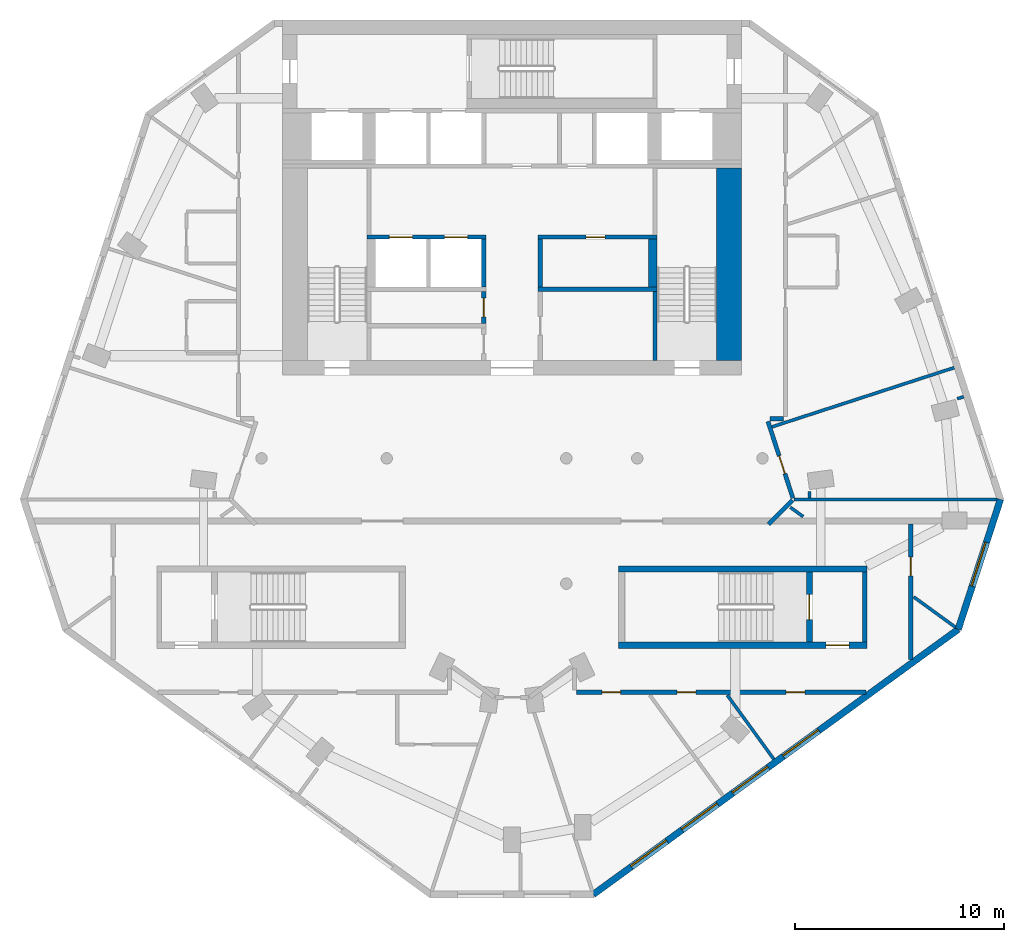
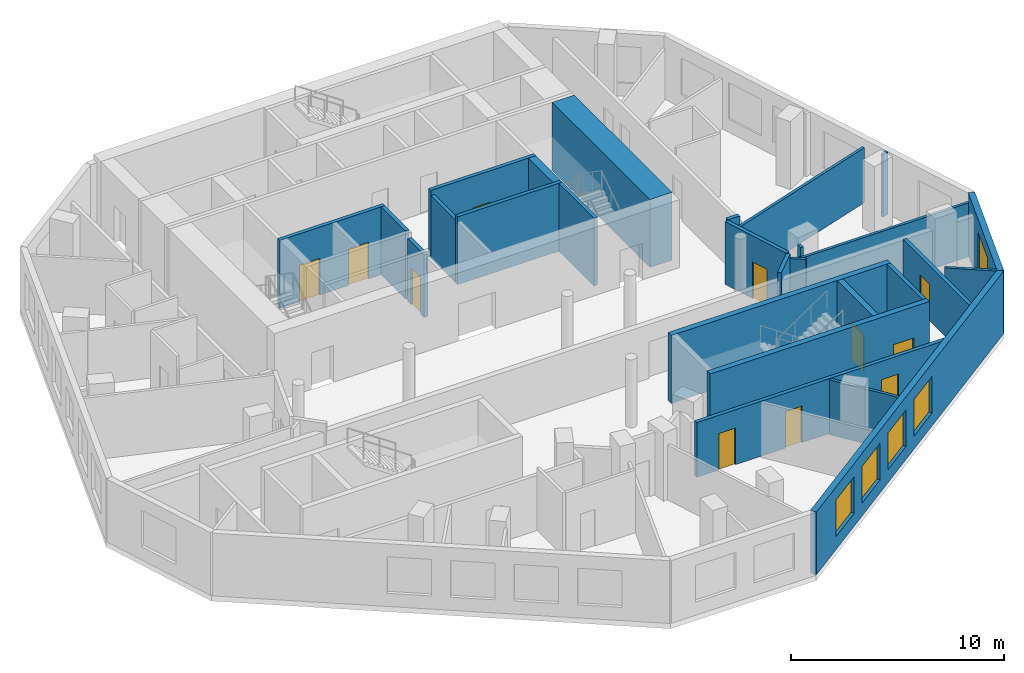
# One storey, part 4 of 8: 27 walls, 11 doors, 5 windows, 16 openings.
"""IFC4 building model written with IfcOpenShell, lengths in metres."""

from ifc_helpers import new_model, si_unit, direction, frame, frame_2d, origin, place, context, subcontext, project, spatial, rectangle, extrude, material, layer, layer_set, type_object, element, fill, save


model = new_model("IFC4")

# Units and contexts
model_context = context("Model", 3, precision=1e-05, world=origin(), true_north=direction((0.0, 1.0)))
body_context = subcontext(model_context, "Body", "Model", "MODEL_VIEW")
ifc_project = project(units=[si_unit("LENGTHUNIT", "METRE"), si_unit("AREAUNIT", "SQUARE_METRE"), si_unit("VOLUMEUNIT", "CUBIC_METRE"), si_unit("PLANEANGLEUNIT", "RADIAN"), si_unit("MASSUNIT", "GRAM", prefix="KILO")], contexts=[model_context])

# Site, building, storey
site_placement = place(None, origin())
site = spatial("IfcSite", under=ifc_project, at=site_placement, CompositionType="ELEMENT")
building_placement = place(site_placement, origin())
building = spatial("IfcBuilding", under=site, at=building_placement, Name="White Candle Pilgrim Tower", CompositionType="ELEMENT")
storey_placement = place(building_placement, frame((0.0, 0.0, 267.800048828125)))
storey = spatial("IfcBuildingStorey", under=building, at=storey_placement, Name="L63", CompositionType="ELEMENT", Elevation=267.800048828125)

# Walls
ifc_material_1 = material(Name="Concrete C50/60", Category="concrete")
ifc_layer_1 = layer(ifc_material_1, 0.199951171875)
ifc_layer_set_1 = layer_set([ifc_layer_1], Name="Core wall 200 mm Concrete C50/60")
wall_type_1 = type_object("IfcWallType", Name="Core wall 200 mm Concrete C50/60", PredefinedType="SHEAR", material=ifc_layer_set_1)
wall_1_placement = place(storey_placement, frame((86.89990234375, 58.199951171875, 0.0), z_axis=(0.0, 0.0, 1.0), x_axis=(0.0, 1.0, 0.0)))
element("IfcWall", 1, at=wall_1_placement, inside=storey, type_object=wall_type_1, Name="WL-L63-C08", PredefinedType="SHEAR", context=body_context, shape_type="SweptSolid", body=[
    extrude(rectangle(XDim=3.35009765625, YDim=0.199951171875, at=frame_2d((1.675048828125, 0.0))), origin(), (0.0, 0.0, 1.0), 3.89990234375),
])
ifc_material_2 = material(Name="Gypsum board on steel studs", Category="steel")
ifc_layer_2 = layer(ifc_material_2, 0.199951171875)
ifc_layer_set_2 = layer_set([ifc_layer_2], Name="Corridor wall 200 mm EI 45")
wall_type_2 = type_object("IfcWallType", Name="Corridor wall 200 mm EI 45", PredefinedType="PARTITIONING", material=ifc_layer_set_2)
wall_2_placement = place(storey_placement, frame((83.0, 68.89990234375, 0.0), z_axis=(0.0, 0.0, 1.0), x_axis=(-1.0, 0.0, 0.0)))
element("IfcWall", 2, at=wall_2_placement, inside=storey, type_object=wall_type_2, Name="WL-L63-P008", PredefinedType="PARTITIONING", context=body_context, shape_type="SweptSolid", body=[
    extrude(rectangle(XDim=0.64208984375, YDim=0.199951171875, at=frame_2d((0.321044921875, 0.0))), origin(), (0.0, 0.0, 1.0), 3.599853515625),
])

# Wall, opening, door
wall_3_placement = place(storey_placement, frame((82.2626953125, 68.76904296875, 0.0), z_axis=(0.0, 0.0, 1.0), x_axis=(0.309050338142, -0.951045681602, 0.0)))
wall_3 = element("IfcWall", 3, at=wall_3_placement, inside=storey, type_object=wall_type_2, Name="WL-L63-P009", PredefinedType="PARTITIONING", context=body_context, shape_type="SweptSolid", body=[
    extrude(rectangle(XDim=3.862060546875, YDim=0.199951171875, at=frame_2d((1.93115234375, 0.0))), origin(), (0.0, 0.0, 1.0), 3.599853515625),
])
opening_1_placement = place(wall_3_placement, frame((1.731201171875, 0.0, 0.0)))
opening_1 = element("IfcOpeningElement", 4, at=opening_1_placement, cuts=wall_3, Name="Opening T19-121", PredefinedType="OPENING", context=body_context, shape_type="SweptSolid", body=[
    extrude(rectangle(XDim=0.89990234375, YDim=2.10009765625, at=frame_2d((0.449951171875, 1.050048828125))), frame((0.0, 0.10986328125, 0.0), z_axis=(0.0, -1.0, 0.0), x_axis=(1.0, 0.0, 0.0)), (0.0, 0.0, 1.0), 0.219970703125),
])
ifc_material_3 = material(Name="Steel door leaf", Category="steel")
door_type_1 = type_object("IfcDoorType", Name="Fire door 900 x 2100 EI 30", OperationType="NOTDEFINED", PredefinedType="DOOR", material=ifc_material_3)
door_1_placement = place(opening_1_placement, origin())
door_1 = element("IfcDoor", 5, at=door_1_placement, inside=storey, type_object=door_type_1, Name="Door T19-121", OperationType="SINGLE_SWING_LEFT", OverallHeight=2.10009765625, OverallWidth=0.89990234375, PredefinedType="DOOR", context=body_context, shape_type="SweptSolid", body=[
    extrude(rectangle(XDim=0.89990234375, YDim=2.10009765625, at=frame_2d((0.449951171875, 1.050048828125))), frame((0.0, 0.02490234375, 0.0), z_axis=(0.0, -1.0, 0.0), x_axis=(1.0, 0.0, 0.0)), (0.0, 0.0, 1.0), 0.050048828125),
])
fill(opening_1, door_1)

# Wall
wall_4_placement = place(storey_placement, frame((83.431884765625, 64.994384765625, 0.0), z_axis=(0.0, 0.0, 1.0), x_axis=(-0.70635124515, -0.707861510802, 0.0)))
element("IfcWall", 6, at=wall_4_placement, inside=storey, type_object=wall_type_2, Name="WL-L63-P010", PredefinedType="PARTITIONING", context=body_context, shape_type="SweptSolid", body=[
    extrude(rectangle(XDim=1.616455078125, YDim=0.199951171875, at=frame_2d((0.80810546875, 0.0))), origin(), (0.0, 0.0, 1.0), 3.599853515625),
])

# Wall, opening, door
wall_5_placement = place(storey_placement, frame((89.10009765625, 63.85009765625, 0.0), z_axis=(0.0, 0.0, 1.0), x_axis=(0.0, -1.0, 0.0)))
wall_5 = element("IfcWall", 7, at=wall_5_placement, inside=storey, type_object=wall_type_2, Name="WL-L63-P011", PredefinedType="PARTITIONING", context=body_context, shape_type="SweptSolid", body=[
    extrude(rectangle(XDim=6.49560546875, YDim=0.199951171875, at=frame_2d((3.247802734375, 0.0))), origin(), (0.0, 0.0, 1.0), 3.14990234375),
])
opening_2_placement = place(wall_5_placement, frame((1.580810546875, 0.0, 0.0)))
opening_2 = element("IfcOpeningElement", 8, at=opening_2_placement, cuts=wall_5, Name="Opening T19-122", PredefinedType="OPENING", context=body_context, shape_type="SweptSolid", body=[
    extrude(rectangle(XDim=0.89990234375, YDim=2.10009765625, at=frame_2d((0.449951171875, 1.050048828125))), frame((0.0, 0.10986328125, 0.0), z_axis=(0.0, -1.0, 0.0), x_axis=(1.0, 0.0, 0.0)), (0.0, 0.0, 1.0), 0.219970703125),
])
door_2_placement = place(opening_2_placement, origin())
door_2 = element("IfcDoor", 9, at=door_2_placement, inside=storey, type_object=door_type_1, Name="Door T19-122", OperationType="SINGLE_SWING_RIGHT", OverallHeight=2.10009765625, OverallWidth=0.89990234375, PredefinedType="DOOR", context=body_context, shape_type="SweptSolid", body=[
    extrude(rectangle(XDim=0.89990234375, YDim=2.10009765625, at=frame_2d((0.449951171875, 1.050048828125))), frame((0.0, 0.02490234375, 0.0), z_axis=(0.0, -1.0, 0.0), x_axis=(1.0, 0.0, 0.0)), (0.0, 0.0, 1.0), 0.050048828125),
])
fill(opening_2, door_2)

# Wall, openings, doors
wall_6_placement = place(storey_placement, frame((86.96044921875, 55.800048828125, 0.0), z_axis=(0.0, 0.0, 1.0), x_axis=(-1.0, 0.0, 0.0)))
wall_6 = element("IfcWall", 10, at=wall_6_placement, inside=storey, type_object=wall_type_2, Name="WL-L63-P012", PredefinedType="PARTITIONING", context=body_context, shape_type="SweptSolid", body=[
    extrude(rectangle(XDim=13.8603515625, YDim=0.199951171875, at=frame_2d((6.93017578125, 0.0))), origin(), (0.0, 0.0, 1.0), 3.14990234375),
])
opening_3_placement = place(wall_6_placement, frame((11.759521484375, 0.0, 0.0)))
opening_3 = element("IfcOpeningElement", 11, at=opening_3_placement, cuts=wall_6, Name="Opening T19-107", PredefinedType="OPENING", context=body_context, shape_type="SweptSolid", body=[
    extrude(rectangle(XDim=0.89990234375, YDim=2.10009765625, at=frame_2d((0.449951171875, 1.050048828125))), frame((0.0, 0.10986328125, 0.0), z_axis=(0.0, -1.0, 0.0), x_axis=(1.0, 0.0, 0.0)), (0.0, 0.0, 1.0), 0.219970703125),
])
opening_4_placement = place(wall_6_placement, frame((8.15478515625, 0.0, 0.0)))
opening_4 = element("IfcOpeningElement", 12, at=opening_4_placement, cuts=wall_6, Name="Opening T19-108", PredefinedType="OPENING", context=body_context, shape_type="SweptSolid", body=[
    extrude(rectangle(XDim=0.89990234375, YDim=2.10009765625, at=frame_2d((0.449951171875, 1.050048828125))), frame((0.0, 0.10986328125, 0.0), z_axis=(0.0, -1.0, 0.0), x_axis=(1.0, 0.0, 0.0)), (0.0, 0.0, 1.0), 0.219970703125),
])
opening_5_placement = place(wall_6_placement, frame((2.92529296875, 0.0, 0.0)))
opening_5 = element("IfcOpeningElement", 13, at=opening_5_placement, cuts=wall_6, Name="Opening T19-109", PredefinedType="OPENING", context=body_context, shape_type="SweptSolid", body=[
    extrude(rectangle(XDim=0.89990234375, YDim=2.10009765625, at=frame_2d((0.449951171875, 1.050048828125))), frame((0.0, 0.10986328125, 0.0), z_axis=(0.0, -1.0, 0.0), x_axis=(1.0, 0.0, 0.0)), (0.0, 0.0, 1.0), 0.219970703125),
])
door_3_placement = place(opening_3_placement, origin())
door_3 = element("IfcDoor", 14, at=door_3_placement, inside=storey, type_object=door_type_1, Name="Door T19-107", OperationType="SINGLE_SWING_LEFT", OverallHeight=2.10009765625, OverallWidth=0.89990234375, PredefinedType="DOOR", context=body_context, shape_type="SweptSolid", body=[
    extrude(rectangle(XDim=0.89990234375, YDim=2.10009765625, at=frame_2d((0.449951171875, 1.050048828125))), frame((0.0, 0.02490234375, 0.0), z_axis=(0.0, -1.0, 0.0), x_axis=(1.0, 0.0, 0.0)), (0.0, 0.0, 1.0), 0.050048828125),
])
fill(opening_3, door_3)
door_4_placement = place(opening_4_placement, origin())
door_4 = element("IfcDoor", 15, at=door_4_placement, inside=storey, type_object=door_type_1, Name="Door T19-108", OperationType="SINGLE_SWING_RIGHT", OverallHeight=2.10009765625, OverallWidth=0.89990234375, PredefinedType="DOOR", context=body_context, shape_type="SweptSolid", body=[
    extrude(rectangle(XDim=0.89990234375, YDim=2.10009765625, at=frame_2d((0.449951171875, 1.050048828125))), frame((0.0, 0.02490234375, 0.0), z_axis=(0.0, -1.0, 0.0), x_axis=(1.0, 0.0, 0.0)), (0.0, 0.0, 1.0), 0.050048828125),
])
fill(opening_4, door_4)
door_5_placement = place(opening_5_placement, origin())
door_5 = element("IfcDoor", 16, at=door_5_placement, inside=storey, type_object=door_type_1, Name="Door T19-109", OperationType="SINGLE_SWING_LEFT", OverallHeight=2.10009765625, OverallWidth=0.89990234375, PredefinedType="DOOR", context=body_context, shape_type="SweptSolid", body=[
    extrude(rectangle(XDim=0.89990234375, YDim=2.10009765625, at=frame_2d((0.449951171875, 1.050048828125))), frame((0.0, 0.02490234375, 0.0), z_axis=(0.0, -1.0, 0.0), x_axis=(1.0, 0.0, 0.0)), (0.0, 0.0, 1.0), 0.050048828125),
])
fill(opening_5, door_5)

# Wall, openings, windows
ifc_material_4 = material(Name="Precast concrete C40/50", Category="concrete")
ifc_layer_3 = layer(ifc_material_4, 0.320068359375)
ifc_layer_set_3 = layer_set([ifc_layer_3], Name="Facade wall EW1 precast concrete C40/50 pier wall with timber-lined reveals")
wall_type_3 = type_object("IfcWallType", Name="Facade wall EW1 precast concrete C40/50 pier wall with timber-lined reveals", PredefinedType="SOLIDWALL", material=ifc_layer_set_3)
wall_7_placement = place(storey_placement, frame((73.894287109375, 46.109130859375, 0.0), z_axis=(0.0, 0.0, 1.0), x_axis=(0.809016403759, 0.587786065205, 0.0)))
wall_7 = element("IfcWall", 17, at=wall_7_placement, inside=storey, type_object=wall_type_3, Name="Facade wall L63 SE", PredefinedType="SOLIDWALL", context=body_context, shape_type="SweptSolid", body=[
    extrude(rectangle(XDim=21.611083984375, YDim=0.320068359375, at=frame_2d((10.8056640625, 0.0))), origin(), (0.0, 0.0, 1.0), 3.599853515625),
])
opening_6_placement = place(wall_7_placement, frame((2.255615234375, 0.0, 0.75)))
opening_6 = element("IfcOpeningElement", 18, at=opening_6_placement, cuts=wall_7, Name="Opening W3", PredefinedType="OPENING", context=body_context, shape_type="SweptSolid", body=[
    extrude(rectangle(XDim=2.10009765625, YDim=2.10009765625, at=frame_2d((1.050048828125, 1.050048828125))), frame((0.0, 0.169921875, 0.0), z_axis=(0.0, -1.0, 0.0), x_axis=(1.0, 0.0, 0.0)), (0.0, 0.0, 1.0), 0.340087890625),
])
opening_7_placement = place(wall_7_placement, frame((5.255615234375, 0.0, 0.75)))
opening_7 = element("IfcOpeningElement", 19, at=opening_7_placement, cuts=wall_7, Name="Opening W3", PredefinedType="OPENING", context=body_context, shape_type="SweptSolid", body=[
    extrude(rectangle(XDim=2.10009765625, YDim=2.10009765625, at=frame_2d((1.050048828125, 1.050048828125))), frame((0.0, 0.169921875, 0.0), z_axis=(0.0, -1.0, 0.0), x_axis=(1.0, 0.0, 0.0)), (0.0, 0.0, 1.0), 0.340087890625),
])
opening_8_placement = place(wall_7_placement, frame((8.255615234375, 0.0, 0.75)))
opening_8 = element("IfcOpeningElement", 20, at=opening_8_placement, cuts=wall_7, Name="Opening W3", PredefinedType="OPENING", context=body_context, shape_type="SweptSolid", body=[
    extrude(rectangle(XDim=2.10009765625, YDim=2.10009765625, at=frame_2d((1.050048828125, 1.050048828125))), frame((0.0, 0.169921875, 0.0), z_axis=(0.0, -1.0, 0.0), x_axis=(1.0, 0.0, 0.0)), (0.0, 0.0, 1.0), 0.340087890625),
])
opening_9_placement = place(wall_7_placement, frame((11.255615234375, 0.0, 0.75)))
opening_9 = element("IfcOpeningElement", 21, at=opening_9_placement, cuts=wall_7, Name="Opening W3", PredefinedType="OPENING", context=body_context, shape_type="SweptSolid", body=[
    extrude(rectangle(XDim=2.10009765625, YDim=2.10009765625, at=frame_2d((1.050048828125, 1.050048828125))), frame((0.0, 0.169921875, 0.0), z_axis=(0.0, -1.0, 0.0), x_axis=(1.0, 0.0, 0.0)), (0.0, 0.0, 1.0), 0.340087890625),
])
ifc_material_5 = material(Name="Timber frame with triple glazing", Category="wood")
window_type_1 = type_object("IfcWindowType", Name="Window W3 2100x2100 timber frame triple glazing", PartitioningType="SINGLE_PANEL", PredefinedType="WINDOW", material=ifc_material_5)
window_1_placement = place(opening_6_placement, origin())
window_1 = element("IfcWindow", 22, at=window_1_placement, inside=storey, type_object=window_type_1, Name="Window W3 L63 SE 1", OverallHeight=2.10009765625, OverallWidth=2.10009765625, PartitioningType="SINGLE_PANEL", PredefinedType="WINDOW", context=body_context, shape_type="SweptSolid", body=[
    extrude(rectangle(XDim=2.10009765625, YDim=2.10009765625, at=frame_2d((1.050048828125, 1.050048828125))), frame((0.0, 0.070068359375, 0.0), z_axis=(0.0, -1.0, 0.0), x_axis=(1.0, 0.0, 0.0)), (0.0, 0.0, 1.0), 0.06005859375),
])
fill(opening_6, window_1)
window_2_placement = place(opening_7_placement, origin())
window_2 = element("IfcWindow", 23, at=window_2_placement, inside=storey, type_object=window_type_1, Name="Window W3 L63 SE 2", OverallHeight=2.10009765625, OverallWidth=2.10009765625, PartitioningType="SINGLE_PANEL", PredefinedType="WINDOW", context=body_context, shape_type="SweptSolid", body=[
    extrude(rectangle(XDim=2.10009765625, YDim=2.10009765625, at=frame_2d((1.050048828125, 1.050048828125))), frame((0.0, 0.070068359375, 0.0), z_axis=(0.0, -1.0, 0.0), x_axis=(1.0, 0.0, 0.0)), (0.0, 0.0, 1.0), 0.06005859375),
])
fill(opening_7, window_2)
window_3_placement = place(opening_8_placement, origin())
window_3 = element("IfcWindow", 24, at=window_3_placement, inside=storey, type_object=window_type_1, Name="Window W3 L63 SE 3", OverallHeight=2.10009765625, OverallWidth=2.10009765625, PartitioningType="SINGLE_PANEL", PredefinedType="WINDOW", context=body_context, shape_type="SweptSolid", body=[
    extrude(rectangle(XDim=2.10009765625, YDim=2.10009765625, at=frame_2d((1.050048828125, 1.050048828125))), frame((0.0, 0.070068359375, 0.0), z_axis=(0.0, -1.0, 0.0), x_axis=(1.0, 0.0, 0.0)), (0.0, 0.0, 1.0), 0.06005859375),
])
fill(opening_8, window_3)
window_4_placement = place(opening_9_placement, origin())
window_4 = element("IfcWindow", 25, at=window_4_placement, inside=storey, type_object=window_type_1, Name="Window W3 L63 SE 4", OverallHeight=2.10009765625, OverallWidth=2.10009765625, PartitioningType="SINGLE_PANEL", PredefinedType="WINDOW", context=body_context, shape_type="SweptSolid", body=[
    extrude(rectangle(XDim=2.10009765625, YDim=2.10009765625, at=frame_2d((1.050048828125, 1.050048828125))), frame((0.0, 0.070068359375, 0.0), z_axis=(0.0, -1.0, 0.0), x_axis=(1.0, 0.0, 0.0)), (0.0, 0.0, 1.0), 0.06005859375),
])
fill(opening_9, window_4)

# Wall, opening, window
wall_8_placement = place(storey_placement, frame((91.3779296875, 58.811767578125, 0.0), z_axis=(0.0, 0.0, 1.0), x_axis=(0.309024511065, 0.951054073942, 0.0)))
wall_8 = element("IfcWall", 26, at=wall_8_placement, inside=storey, type_object=wall_type_3, Name="Facade wall L63 E chamfer", PredefinedType="SOLIDWALL", context=body_context, shape_type="SweptSolid", body=[
    extrude(rectangle(XDim=6.546142578125, YDim=0.320068359375, at=frame_2d((3.27294921875, 0.0))), origin(), (0.0, 0.0, 1.0), 3.599853515625),
])
opening_10_placement = place(wall_8_placement, frame((2.173095703125, 0.0, 0.75)))
opening_10 = element("IfcOpeningElement", 27, at=opening_10_placement, cuts=wall_8, Name="Opening W4", PredefinedType="OPENING", context=body_context, shape_type="SweptSolid", body=[
    extrude(rectangle(XDim=2.199951171875, YDim=2.10009765625, at=frame_2d((1.10009765625, 1.050048828125))), frame((0.0, 0.169921875, 0.0), z_axis=(0.0, -1.0, 0.0), x_axis=(1.0, 0.0, 0.0)), (0.0, 0.0, 1.0), 0.340087890625),
])
window_type_2 = type_object("IfcWindowType", Name="Window W4 2200x2100 timber frame triple glazing", PartitioningType="SINGLE_PANEL", PredefinedType="WINDOW", material=ifc_material_5)
window_5_placement = place(opening_10_placement, origin())
window_5 = element("IfcWindow", 28, at=window_5_placement, inside=storey, type_object=window_type_2, Name="Window W4 L63 E chamfer 1", OverallHeight=2.10009765625, OverallWidth=2.199951171875, PartitioningType="SINGLE_PANEL", PredefinedType="WINDOW", context=body_context, shape_type="SweptSolid", body=[
    extrude(rectangle(XDim=2.199951171875, YDim=2.10009765625, at=frame_2d((1.10009765625, 1.050048828125))), frame((0.0, 0.070068359375, 0.0), z_axis=(0.0, -1.0, 0.0), x_axis=(1.0, 0.0, 0.0)), (0.0, 0.0, 1.0), 0.06005859375),
])
fill(opening_10, window_5)

# Wall, opening, door
ifc_layer_4 = layer(ifc_material_2, 0.199951171875)
ifc_layer_set_4 = layer_set([ifc_layer_4], Name="Lobby wall 200 mm EI 60")
wall_type_4 = type_object("IfcWallType", Name="Lobby wall 200 mm EI 60", PredefinedType="PARTITIONING", material=ifc_layer_set_4)
wall_9_placement = place(storey_placement, frame((68.64990234375, 73.449951171875, 0.0), z_axis=(0.0, 0.0, 1.0), x_axis=(0.0, 1.0, 0.0)))
wall_9 = element("IfcWall", 29, at=wall_9_placement, inside=storey, type_object=wall_type_4, Name="WL-L63-C20", PredefinedType="PARTITIONING", context=body_context, shape_type="SweptSolid", body=[
    extrude(rectangle(XDim=1.550048828125, YDim=0.199951171875, at=frame_2d((0.77490234375, 0.0))), origin(), (0.0, 0.0, 1.0), 3.599853515625),
])
opening_11_placement = place(wall_9_placement, frame((0.324951171875, 0.0, 0.0)))
opening_11 = element("IfcOpeningElement", 30, at=opening_11_placement, cuts=wall_9, Name="Opening T19-006", PredefinedType="OPENING", context=body_context, shape_type="SweptSolid", body=[
    extrude(rectangle(XDim=0.89990234375, YDim=2.10009765625, at=frame_2d((0.449951171875, 1.050048828125))), frame((0.0, 0.10986328125, 0.0), z_axis=(0.0, -1.0, 0.0), x_axis=(1.0, 0.0, 0.0)), (0.0, 0.0, 1.0), 0.219970703125),
])
door_6_placement = place(opening_11_placement, origin())
door_6 = element("IfcDoor", 31, at=door_6_placement, inside=storey, type_object=door_type_1, Name="Door T19-006", OperationType="SINGLE_SWING_RIGHT", OverallHeight=2.10009765625, OverallWidth=0.89990234375, PredefinedType="DOOR", context=body_context, shape_type="SweptSolid", body=[
    extrude(rectangle(XDim=0.89990234375, YDim=2.10009765625, at=frame_2d((0.449951171875, 1.050048828125))), frame((0.0, 0.02490234375, 0.0), z_axis=(0.0, -1.0, 0.0), x_axis=(1.0, 0.0, 0.0)), (0.0, 0.0, 1.0), 0.050048828125),
])
fill(opening_11, door_6)

# Walls
wall_10_placement = place(storey_placement, frame((71.35009765625, 75.199951171875, 0.0), z_axis=(0.0, 0.0, 1.0), x_axis=(0.0, 1.0, 0.0)))
element("IfcWall", 32, at=wall_10_placement, inside=storey, type_object=wall_type_4, Name="WL-L63-C26", PredefinedType="PARTITIONING", context=body_context, shape_type="SweptSolid", body=[
    extrude(rectangle(XDim=2.300048828125, YDim=0.199951171875, at=frame_2d((1.14990234375, 0.0))), origin(), (0.0, 0.0, 1.0), 3.599853515625),
])
ifc_layer_5 = layer(ifc_material_2, 0.14990234375)
ifc_layer_set_5 = layer_set([ifc_layer_5], Name="Partition 150 mm EI 60")
wall_type_5 = type_object("IfcWallType", Name="Partition 150 mm EI 60", PredefinedType="PARTITIONING", material=ifc_layer_set_5)
wall_11_placement = place(storey_placement, frame((91.241943359375, 58.91064453125, 0.0), z_axis=(0.0, 0.0, 1.0), x_axis=(-0.808983967864, 0.587830706699, 0.0)))
element("IfcWall", 33, at=wall_11_placement, inside=storey, type_object=wall_type_5, Name="WL-L63-P025", PredefinedType="PARTITIONING", context=body_context, shape_type="SweptSolid", body=[
    extrude(rectangle(XDim=2.469482421875, YDim=0.14990234375, at=frame_2d((1.23486328125, 0.0))), origin(), (0.0, 0.0, 1.0), 3.599853515625),
])
wall_12_placement = place(storey_placement, frame((83.947021484375, 64.210693359375, 0.0), z_axis=(0.0, 0.0, 1.0), x_axis=(-0.808985495234, 0.587828604698, 0.0)))
element("IfcWall", 34, at=wall_12_placement, inside=storey, type_object=wall_type_5, Name="WL-L63-P026", PredefinedType="PARTITIONING", context=body_context, shape_type="SweptSolid", body=[
    extrude(rectangle(XDim=0.76171875, YDim=0.14990234375, at=frame_2d((0.380859375, 0.0))), origin(), (0.0, 0.0, 1.0), 3.599853515625),
])
wall_13_placement = place(storey_placement, frame((93.232666015625, 65.03759765625, 0.0), z_axis=(0.0, 0.0, 1.0), x_axis=(-1.0, 0.0, 0.0)))
element("IfcWall", 35, at=wall_13_placement, inside=storey, type_object=wall_type_5, Name="WL-L63-P027", PredefinedType="PARTITIONING", context=body_context, shape_type="SweptSolid", body=[
    extrude(rectangle(XDim=9.724853515625, YDim=0.14990234375, at=frame_2d((4.8623046875, 0.0))), origin(), (0.0, 0.0, 1.0), 3.099853515625),
])
wall_14_placement = place(storey_placement, frame((82.5419921875, 52.58984375, 0.0), z_axis=(0.0, 0.0, 1.0), x_axis=(-0.587757946998, 0.809036832129, 0.0)))
element("IfcWall", 36, at=wall_14_placement, inside=storey, type_object=wall_type_5, Name="WL-L63-P041", PredefinedType="PARTITIONING", context=body_context, shape_type="SweptSolid", body=[
    extrude(rectangle(XDim=3.789794921875, YDim=0.14990234375, at=frame_2d((1.89501953125, 0.0))), origin(), (0.0, 0.0, 1.0), 3.14990234375),
])
wall_15_placement = place(storey_placement, frame((91.18310546875, 71.345458984375, 0.0), z_axis=(0.0, 0.0, 1.0), x_axis=(-0.951060058909, -0.309006091118, 0.0)))
element("IfcWall", 37, at=wall_15_placement, inside=storey, type_object=wall_type_5, Name="WL-L63-P042", PredefinedType="PARTITIONING", context=body_context, shape_type="SweptSolid", body=[
    extrude(rectangle(XDim=9.179931640625, YDim=0.14990234375, at=frame_2d((4.58984375, 0.0))), origin(), (0.0, 0.0, 1.0), 3.14990234375),
])
wall_16_placement = place(storey_placement, frame((91.327392578125, 69.855712890625, 0.0), z_axis=(0.0, 0.0, 1.0), x_axis=(0.951072921112, 0.308966500981, 0.0)))
element("IfcWall", 38, at=wall_16_placement, inside=storey, type_object=wall_type_5, Name="WL-L63-P049", PredefinedType="PARTITIONING", context=body_context, shape_type="SweptSolid", body=[
    extrude(rectangle(XDim=0.3232421875, YDim=0.14990234375, at=frame_2d((0.16162109375, 0.0))), origin(), (0.0, 0.0, 1.0), 3.599853515625),
])
wall_17_placement = place(storey_placement, frame((84.250732421875, 65.4140625, 0.0), z_axis=(0.0, 0.0, 1.0), x_axis=(0.0, -1.0, 0.0)))
element("IfcWall", 39, at=wall_17_placement, inside=storey, type_object=wall_type_5, Name="WL-L63-P052", PredefinedType="PARTITIONING", context=body_context, shape_type="SweptSolid", body=[
    extrude(rectangle(XDim=0.30126953125, YDim=0.14990234375, at=frame_2d((0.150634765625, 0.0))), origin(), (0.0, 0.0, 1.0), 3.599853515625),
])
ifc_layer_6 = layer(ifc_material_1, 0.199951171875)
ifc_layer_set_6 = layer_set([ifc_layer_6], Name="Shaft wall 200 mm Concrete C50/60")
wall_type_6 = type_object("IfcWallType", Name="Shaft wall 200 mm Concrete C50/60", PredefinedType="SHEAR", material=ifc_layer_set_6)
wall_18_placement = place(storey_placement, frame((68.64990234375, 75.199951171875, 0.0), z_axis=(0.0, 0.0, 1.0), x_axis=(0.0, 1.0, 0.0)))
element("IfcWall", 40, at=wall_18_placement, inside=storey, type_object=wall_type_6, Name="WL-L63-C25", PredefinedType="SHEAR", context=body_context, shape_type="SweptSolid", body=[
    extrude(rectangle(XDim=2.300048828125, YDim=0.199951171875, at=frame_2d((1.14990234375, 0.0))), origin(), (0.0, 0.0, 1.0), 3.89990234375),
])
ifc_layer_7 = layer(ifc_material_1, 1.199951171875)
ifc_layer_set_7 = layer_set([ifc_layer_7], Name="Stair shaft wall 1200 mm Concrete C50/60")
wall_type_7 = type_object("IfcWallType", Name="Stair shaft wall 1200 mm Concrete C50/60", PredefinedType="SHEAR", material=ifc_layer_set_7)
wall_19_placement = place(storey_placement, frame((80.39990234375, 71.699951171875, 0.0), z_axis=(0.0, 0.0, 1.0), x_axis=(0.0, 1.0, 0.0)))
element("IfcWall", 41, at=wall_19_placement, inside=storey, type_object=wall_type_7, Name="WL-L63-C17", PredefinedType="SHEAR", context=body_context, shape_type="SweptSolid", body=[
    extrude(rectangle(XDim=9.199951171875, YDim=1.199951171875, at=frame_2d((4.60009765625, 0.0))), origin(), (0.0, 0.0, 1.0), 3.89990234375),
])
ifc_layer_8 = layer(ifc_material_1, 0.199951171875)
ifc_layer_set_8 = layer_set([ifc_layer_8], Name="Stair shaft wall 200 mm Concrete C50/60")
wall_type_8 = type_object("IfcWallType", Name="Stair shaft wall 200 mm Concrete C50/60", PredefinedType="SHEAR", material=ifc_layer_set_8)
wall_20_placement = place(storey_placement, frame((76.85009765625, 71.699951171875, 0.0), z_axis=(0.0, 0.0, 1.0), x_axis=(0.0, 1.0, 0.0)))
element("IfcWall", 42, at=wall_20_placement, inside=storey, type_object=wall_type_8, Name="WL-L63-C16", PredefinedType="SHEAR", context=body_context, shape_type="SweptSolid", body=[
    extrude(rectangle(XDim=3.300048828125, YDim=0.199951171875, at=frame_2d((1.64990234375, 0.0))), origin(), (0.0, 0.0, 1.0), 3.89990234375),
])
wall_21_placement = place(storey_placement, frame((71.25, 75.10009765625, 0.0), z_axis=(0.0, 0.0, 1.0), x_axis=(1.0, 0.0, 0.0)))
element("IfcWall", 43, at=wall_21_placement, inside=storey, type_object=wall_type_8, Name="WL-L63-C22", PredefinedType="SHEAR", context=body_context, shape_type="SweptSolid", body=[
    extrude(rectangle(XDim=5.699951171875, YDim=0.199951171875, at=frame_2d((2.85009765625, 0.0))), origin(), (0.0, 0.0, 1.0), 3.89990234375),
])

# Wall, openings, doors
wall_22_placement = place(storey_placement, frame((63.050048828125, 77.60009765625, 0.0), z_axis=(0.0, 0.0, 1.0), x_axis=(1.0, 0.0, 0.0)))
wall_22 = element("IfcWall", 44, at=wall_22_placement, inside=storey, type_object=wall_type_8, Name="WL-L63-C28", PredefinedType="SHEAR", context=body_context, shape_type="SweptSolid", body=[
    extrude(rectangle(XDim=5.699951171875, YDim=0.199951171875, at=frame_2d((2.85009765625, 0.0))), origin(), (0.0, 0.0, 1.0), 3.89990234375),
])
opening_12_placement = place(wall_22_placement, frame((1.074951171875, 0.0, 0.0)))
opening_12 = element("IfcOpeningElement", 45, at=opening_12_placement, cuts=wall_22, Name="Opening T19-014", PredefinedType="OPENING", context=body_context, shape_type="SweptSolid", body=[
    extrude(rectangle(XDim=1.10009765625, YDim=2.10009765625, at=frame_2d((0.550048828125, 1.050048828125))), frame((0.0, 0.10986328125, 0.0), z_axis=(0.0, -1.0, 0.0), x_axis=(1.0, 0.0, 0.0)), (0.0, 0.0, 1.0), 0.219970703125),
])
opening_13_placement = place(wall_22_placement, frame((3.72509765625, 0.0, 0.0)))
opening_13 = element("IfcOpeningElement", 46, at=opening_13_placement, cuts=wall_22, Name="Opening T19-015", PredefinedType="OPENING", context=body_context, shape_type="SweptSolid", body=[
    extrude(rectangle(XDim=1.10009765625, YDim=2.10009765625, at=frame_2d((0.550048828125, 1.050048828125))), frame((0.0, 0.10986328125, 0.0), z_axis=(0.0, -1.0, 0.0), x_axis=(1.0, 0.0, 0.0)), (0.0, 0.0, 1.0), 0.219970703125),
])
ifc_material_6 = material(Name="Stainless steel", Category="steel")
door_type_2 = type_object("IfcDoorType", Name="Lift landing door 1100 x 2100 E 60", OperationType="DOUBLE_DOOR_SLIDING", PredefinedType="DOOR", material=ifc_material_6)
door_7_placement = place(opening_12_placement, origin())
door_7 = element("IfcDoor", 47, at=door_7_placement, inside=storey, type_object=door_type_2, Name="Door T19-014", OperationType="DOUBLE_DOOR_SLIDING", OverallHeight=2.10009765625, OverallWidth=1.10009765625, PredefinedType="DOOR", context=body_context, shape_type="SweptSolid", body=[
    extrude(rectangle(XDim=1.10009765625, YDim=2.10009765625, at=frame_2d((0.550048828125, 1.050048828125))), frame((0.0, 0.02490234375, 0.0), z_axis=(0.0, -1.0, 0.0), x_axis=(1.0, 0.0, 0.0)), (0.0, 0.0, 1.0), 0.050048828125),
])
fill(opening_12, door_7)
door_8_placement = place(opening_13_placement, origin())
door_8 = element("IfcDoor", 48, at=door_8_placement, inside=storey, type_object=door_type_2, Name="Door T19-015", OperationType="DOUBLE_DOOR_SLIDING", OverallHeight=2.10009765625, OverallWidth=1.10009765625, PredefinedType="DOOR", context=body_context, shape_type="SweptSolid", body=[
    extrude(rectangle(XDim=1.10009765625, YDim=2.10009765625, at=frame_2d((0.550048828125, 1.050048828125))), frame((0.0, 0.02490234375, 0.0), z_axis=(0.0, -1.0, 0.0), x_axis=(1.0, 0.0, 0.0)), (0.0, 0.0, 1.0), 0.050048828125),
])
fill(opening_13, door_8)

# Wall, opening, door
wall_23_placement = place(storey_placement, frame((71.25, 77.60009765625, 0.0), z_axis=(0.0, 0.0, 1.0), x_axis=(1.0, 0.0, 0.0)))
wall_23 = element("IfcWall", 49, at=wall_23_placement, inside=storey, type_object=wall_type_8, Name="WL-L63-C29", PredefinedType="SHEAR", context=body_context, shape_type="SweptSolid", body=[
    extrude(rectangle(XDim=5.699951171875, YDim=0.199951171875, at=frame_2d((2.85009765625, 0.0))), origin(), (0.0, 0.0, 1.0), 3.89990234375),
])
opening_14_placement = place(wall_23_placement, frame((2.300048828125, 0.0, 0.0)))
opening_14 = element("IfcOpeningElement", 50, at=opening_14_placement, cuts=wall_23, Name="Opening T19-020", PredefinedType="OPENING", context=body_context, shape_type="SweptSolid", body=[
    extrude(rectangle(XDim=0.89990234375, YDim=2.10009765625, at=frame_2d((0.449951171875, 1.050048828125))), frame((0.0, 0.10986328125, 0.0), z_axis=(0.0, -1.0, 0.0), x_axis=(1.0, 0.0, 0.0)), (0.0, 0.0, 1.0), 0.219970703125),
])
door_9_placement = place(opening_14_placement, origin())
door_9 = element("IfcDoor", 51, at=door_9_placement, inside=storey, type_object=door_type_1, Name="Door T19-020", OperationType="SINGLE_SWING_RIGHT", OverallHeight=2.10009765625, OverallWidth=0.89990234375, PredefinedType="DOOR", context=body_context, shape_type="SweptSolid", body=[
    extrude(rectangle(XDim=0.89990234375, YDim=2.10009765625, at=frame_2d((0.449951171875, 1.050048828125))), frame((0.0, 0.02490234375, 0.0), z_axis=(0.0, -1.0, 0.0), x_axis=(1.0, 0.0, 0.0)), (0.0, 0.0, 1.0), 0.050048828125),
])
fill(opening_14, door_9)

ifc_layer_9 = layer(ifc_material_1, 0.300048828125)
ifc_layer_set_9 = layer_set([ifc_layer_9], Name="Stair shaft wall 300 mm Concrete C50/60")
wall_type_9 = type_object("IfcWallType", Name="Stair shaft wall 300 mm Concrete C50/60", PredefinedType="SHEAR", material=ifc_layer_set_9)
wall_24_placement = place(storey_placement, frame((75.10009765625, 58.050048828125, 0.0), z_axis=(0.0, 0.0, 1.0), x_axis=(1.0, 0.0, 0.0)))
wall_24 = element("IfcWall", 52, at=wall_24_placement, inside=storey, type_object=wall_type_9, Name="WL-L63-C02", PredefinedType="SHEAR", context=body_context, shape_type="SweptSolid", body=[
    extrude(rectangle(XDim=11.89990234375, YDim=0.300048828125, at=frame_2d((5.949951171875, 0.0))), origin(), (0.0, 0.0, 1.0), 3.89990234375),
])
opening_15_placement = place(wall_24_placement, frame((9.949951171875, 0.0, 0.0)))
opening_15 = element("IfcOpeningElement", 53, at=opening_15_placement, cuts=wall_24, Name="Opening T19-012", PredefinedType="OPENING", context=body_context, shape_type="SweptSolid", body=[
    extrude(rectangle(XDim=1.10009765625, YDim=2.10009765625, at=frame_2d((0.550048828125, 1.050048828125))), frame((0.0, 0.159912109375, 0.0), z_axis=(0.0, -1.0, 0.0), x_axis=(1.0, 0.0, 0.0)), (0.0, 0.0, 1.0), 0.320068359375),
])
door_type_3 = type_object("IfcDoorType", Name="Fire door 1100 x 2100 EI 60", OperationType="NOTDEFINED", PredefinedType="DOOR", material=ifc_material_3)
door_10_placement = place(opening_15_placement, origin())
door_10 = element("IfcDoor", 54, at=door_10_placement, inside=storey, type_object=door_type_3, Name="Door T19-012", OperationType="SINGLE_SWING_RIGHT", OverallHeight=2.10009765625, OverallWidth=1.10009765625, PredefinedType="DOOR", context=body_context, shape_type="SweptSolid", body=[
    extrude(rectangle(XDim=1.10009765625, YDim=2.10009765625, at=frame_2d((0.550048828125, 1.050048828125))), frame((0.0, 0.02490234375, 0.0), z_axis=(0.0, -1.0, 0.0), x_axis=(1.0, 0.0, 0.0)), (0.0, 0.0, 1.0), 0.050048828125),
])
fill(opening_15, door_10)

wall_25_placement = place(storey_placement, frame((84.25, 58.199951171875, 0.0), z_axis=(0.0, 0.0, 1.0), x_axis=(0.0, 1.0, 0.0)))
wall_25 = element("IfcWall", 55, at=wall_25_placement, inside=storey, type_object=wall_type_9, Name="WL-L63-C07", PredefinedType="SHEAR", context=body_context, shape_type="SweptSolid", body=[
    extrude(rectangle(XDim=3.35009765625, YDim=0.300048828125, at=frame_2d((1.675048828125, 0.0))), origin(), (0.0, 0.0, 1.0), 3.89990234375),
])
opening_16_placement = place(wall_25_placement, frame((1.074951171875, 0.0, 0.0)))
opening_16 = element("IfcOpeningElement", 56, at=opening_16_placement, cuts=wall_25, Name="Opening T19-013", PredefinedType="OPENING", context=body_context, shape_type="SweptSolid", body=[
    extrude(rectangle(XDim=1.199951171875, YDim=2.10009765625, at=frame_2d((0.60009765625, 1.050048828125))), frame((0.0, 0.159912109375, 0.0), z_axis=(0.0, -1.0, 0.0), x_axis=(1.0, 0.0, 0.0)), (0.0, 0.0, 1.0), 0.320068359375),
])
door_type_4 = type_object("IfcDoorType", Name="Fire door 1200 x 2100 EI 60", OperationType="NOTDEFINED", PredefinedType="DOOR", material=ifc_material_3)
door_11_placement = place(opening_16_placement, origin())
door_11 = element("IfcDoor", 57, at=door_11_placement, inside=storey, type_object=door_type_4, Name="Door T19-013", OperationType="SINGLE_SWING_LEFT", OverallHeight=2.10009765625, OverallWidth=1.199951171875, PredefinedType="DOOR", context=body_context, shape_type="SweptSolid", body=[
    extrude(rectangle(XDim=1.199951171875, YDim=2.10009765625, at=frame_2d((0.60009765625, 1.050048828125))), frame((0.0, 0.02490234375, 0.0), z_axis=(0.0, -1.0, 0.0), x_axis=(1.0, 0.0, 0.0)), (0.0, 0.0, 1.0), 0.050048828125),
])
fill(opening_16, door_11)

# Walls
wall_26_placement = place(storey_placement, frame((75.10009765625, 61.699951171875, 0.0), z_axis=(0.0, 0.0, 1.0), x_axis=(1.0, 0.0, 0.0)))
element("IfcWall", 58, at=wall_26_placement, inside=storey, type_object=wall_type_9, Name="WL-L63-C10", PredefinedType="SHEAR", context=body_context, shape_type="SweptSolid", body=[
    extrude(rectangle(XDim=11.89990234375, YDim=0.300048828125, at=frame_2d((5.949951171875, 0.0))), origin(), (0.0, 0.0, 1.0), 3.89990234375),
])
ifc_layer_10 = layer(ifc_material_1, 0.39990234375)
ifc_layer_set_10 = layer_set([ifc_layer_10], Name="Stair shaft wall 400 mm Concrete C50/60")
wall_type_10 = type_object("IfcWallType", Name="Stair shaft wall 400 mm Concrete C50/60", PredefinedType="SHEAR", material=ifc_layer_set_10)
wall_27_placement = place(storey_placement, frame((76.75, 75.199951171875, 0.0), z_axis=(0.0, 0.0, 1.0), x_axis=(0.0, 1.0, 0.0)))
element("IfcWall", 59, at=wall_27_placement, inside=storey, type_object=wall_type_10, Name="WL-L63-C27", PredefinedType="SHEAR", context=body_context, shape_type="SweptSolid", body=[
    extrude(rectangle(XDim=2.300048828125, YDim=0.39990234375, at=frame_2d((1.14990234375, 0.0))), origin(), (0.0, 0.0, 1.0), 3.89990234375),
])

save(model, "model.ifc")
